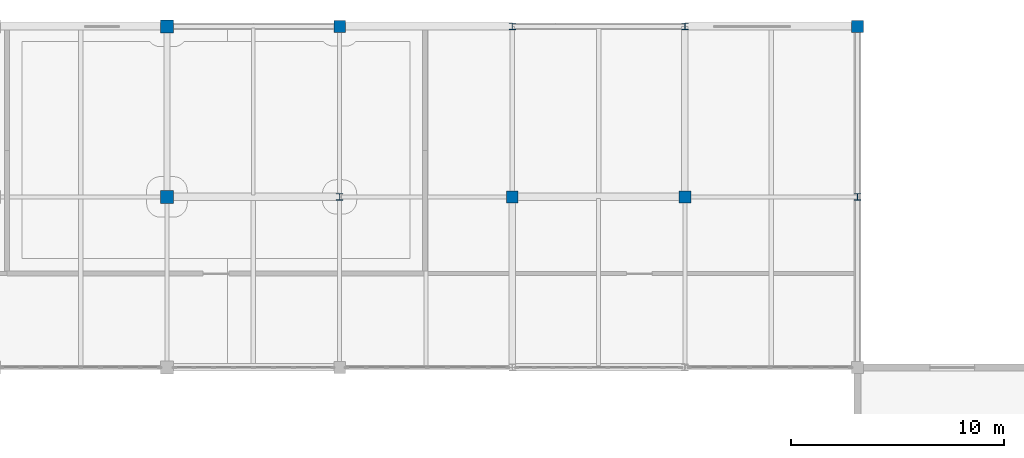
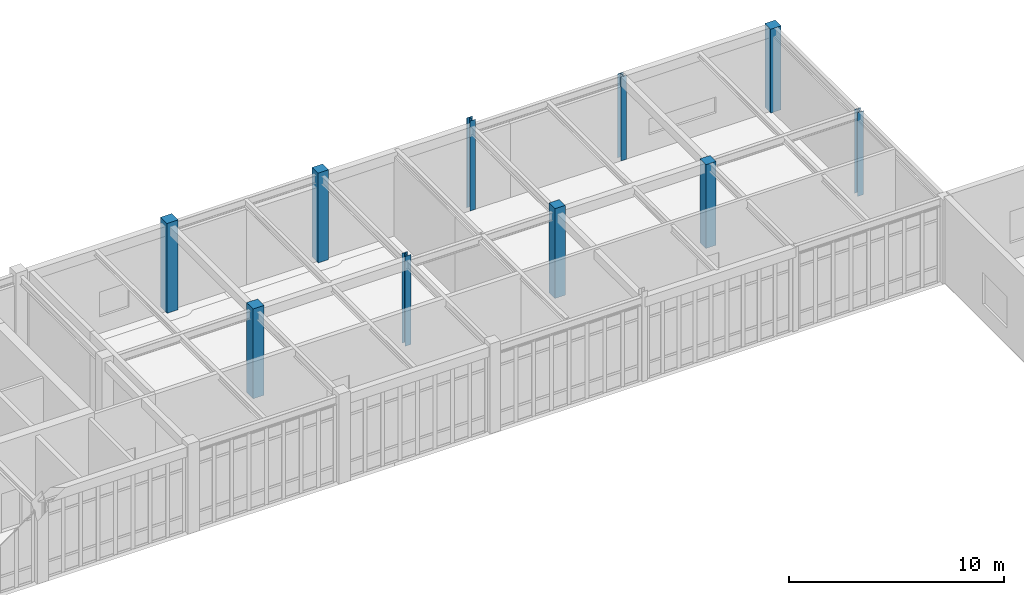
# One storey, part 10 of 70: 10 columns.
"""IFC4 building model written with IfcOpenShell, lengths in metres."""

from ifc_helpers import new_model, si_unit, direction, frame, origin, origin_2d, place, context, subcontext, project, spatial, rectangle, i_section, extrude, material, material_profile, profile_set, type_object, element, save


model = new_model("IFC4")

# Units and contexts
model_context = context("Model", 3, precision=1e-05, world=origin(), true_north=direction((0.0, 1.0)))
body_context = subcontext(model_context, "Body", "Model", "MODEL_VIEW")
ifc_project = project(units=[si_unit("LENGTHUNIT", "METRE"), si_unit("AREAUNIT", "SQUARE_METRE"), si_unit("VOLUMEUNIT", "CUBIC_METRE"), si_unit("PLANEANGLEUNIT", "RADIAN"), si_unit("MASSUNIT", "GRAM", prefix="KILO")], contexts=[model_context])

# Site, building, storey
site_placement = place(None, origin())
site = spatial("IfcSite", under=ifc_project, at=site_placement, CompositionType="ELEMENT")
building_placement = place(site_placement, origin())
building = spatial("IfcBuilding", under=site, at=building_placement, Name="Tarnveldt Square Police Headquarters", CompositionType="ELEMENT")
storey_placement = place(building_placement, frame((0.0, 0.0, 19.800048828125)))
storey = spatial("IfcBuildingStorey", under=building, at=storey_placement, Name="L04", CompositionType="ELEMENT", Elevation=19.800048828125)

# Columns
ifc_material_1 = material(Name="Concrete 40 MPa", Category="concrete")
ifc_material_profile_1 = material_profile(ifc_material_1, rectangle(XDim=0.550048828125, YDim=0.550048828125, at=origin_2d()), Name="RC-C550x550")
ifc_profile_set_1 = profile_set([ifc_material_profile_1], Name="Concrete 40 MPa")
column_type_1 = type_object("IfcColumnType", Name="COL-RC550", PredefinedType="COLUMN", material=ifc_profile_set_1)
for number, where, z_axis, x_axis, name in (
    (1, (81.0, 112.0, 0.0), (0.0, 0.0, 1.0), (1.0, 0.0, 0.0), "L04 Column 126"),
    (2, (89.10009765625, 104.0, 0.0), (0.0, 0.0, 1.0), (1.0, 0.0, 0.0), "L04 Column 130"),
):
    element("IfcColumn", number, at=place(storey_placement, frame(where, z_axis=z_axis, x_axis=x_axis)), inside=storey, type_object=column_type_1, Name=name, PredefinedType="COLUMN", context=body_context, shape_type="SweptSolid", body=[
        extrude(rectangle(XDim=0.550048828125, YDim=0.550048828125, at=origin_2d()), origin(), (0.0, 0.0, 1.0), 5.099853515625),
    ])
for number, where, z_axis, x_axis, name in (
    (3, (97.199951171875, 104.0, 0.0), (0.0, 0.0, 1.0), (1.0, 0.0, 0.0), "L04 Column 140"),
    (4, (105.300048828125, 112.0, 0.0), (0.0, 0.0, 1.0), (1.0, 0.0, 0.0), "L04 Column 152"),
):
    element("IfcColumn", number, at=place(storey_placement, frame(where, z_axis=z_axis, x_axis=x_axis)), inside=storey, type_object=column_type_1, Name=name, PredefinedType="COLUMN", context=body_context, shape_type="SweptSolid", body=[
        extrude(rectangle(XDim=0.550048828125, YDim=0.550048828125, at=origin_2d()), origin(), (0.0, 0.0, 1.0), 4.760009765625),
    ])
ifc_material_profile_2 = material_profile(ifc_material_1, rectangle(XDim=0.60009765625, YDim=0.60009765625, at=origin_2d()), Name="RC-C600x600")
ifc_profile_set_2 = profile_set([ifc_material_profile_2], Name="Concrete 40 MPa")
column_type_2 = type_object("IfcColumnType", Name="COL-RC600", PredefinedType="COLUMN", material=ifc_profile_set_2)
for number, where, z_axis, x_axis, name in (
    (5, (72.89990234375, 104.0, 0.0), (0.0, 0.0, 1.0), (1.0, 0.0, 0.0), "L04 Column 115"),
    (6, (72.89990234375, 112.0, 0.0), (0.0, 0.0, 1.0), (1.0, 0.0, 0.0), "L04 Column 116"),
):
    element("IfcColumn", number, at=place(storey_placement, frame(where, z_axis=z_axis, x_axis=x_axis)), inside=storey, type_object=column_type_2, Name=name, PredefinedType="COLUMN", context=body_context, shape_type="SweptSolid", body=[
        extrude(rectangle(XDim=0.60009765625, YDim=0.60009765625, at=origin_2d()), origin(), (0.0, 0.0, 1.0), 5.099853515625),
    ])
ifc_material_2 = material(Name="Steel 350W", Category="steel")
ifc_material_profile_3 = material_profile(ifc_material_2, i_section(OverallWidth=0.304931640625, OverallDepth=0.30810546875, WebThickness=0.010009765625, FlangeThickness=0.015380859375, FilletRadius=0.014892578125, at=origin_2d()), Name="W310x97")
ifc_profile_set_3 = profile_set([ifc_material_profile_3], Name="Steel 350W")
column_type_3 = type_object("IfcColumnType", Name="COL-W310x97", PredefinedType="COLUMN", material=ifc_profile_set_3)
for number, where, z_axis, x_axis, name in (
    (7, (81.0, 104.0, 0.0), (0.0, 0.0, 1.0), (1.0, 0.0, 0.0), "L04 Column 125"),
    (8, (89.10009765625, 112.0, 0.0), (0.0, 0.0, 1.0), (1.0, 0.0, 0.0), "L04 Column 131"),
):
    element("IfcColumn", number, at=place(storey_placement, frame(where, z_axis=z_axis, x_axis=x_axis)), inside=storey, type_object=column_type_3, Name=name, PredefinedType="COLUMN", context=body_context, shape_type="SweptSolid", body=[
        extrude(i_section(OverallWidth=0.304931640625, OverallDepth=0.30810546875, WebThickness=0.010009765625, FlangeThickness=0.015380859375, FilletRadius=0.014892578125, at=origin_2d()), origin(), (0.0, 0.0, 1.0), 5.099853515625),
    ])
for number, where, z_axis, x_axis, name in (
    (9, (97.199951171875, 112.0, 0.0), (0.0, 0.0, 1.0), (1.0, 0.0, 0.0), "L04 Column 141"),
    (10, (105.300048828125, 104.0, 0.0), (0.0, 0.0, 1.0), (1.0, 0.0, 0.0), "L04 Column 151"),
):
    element("IfcColumn", number, at=place(storey_placement, frame(where, z_axis=z_axis, x_axis=x_axis)), inside=storey, type_object=column_type_3, Name=name, PredefinedType="COLUMN", context=body_context, shape_type="SweptSolid", body=[
        extrude(i_section(OverallWidth=0.304931640625, OverallDepth=0.30810546875, WebThickness=0.010009765625, FlangeThickness=0.015380859375, FilletRadius=0.014892578125, at=origin_2d()), origin(), (0.0, 0.0, 1.0), 4.760009765625),
    ])

save(model, "model.ifc")
